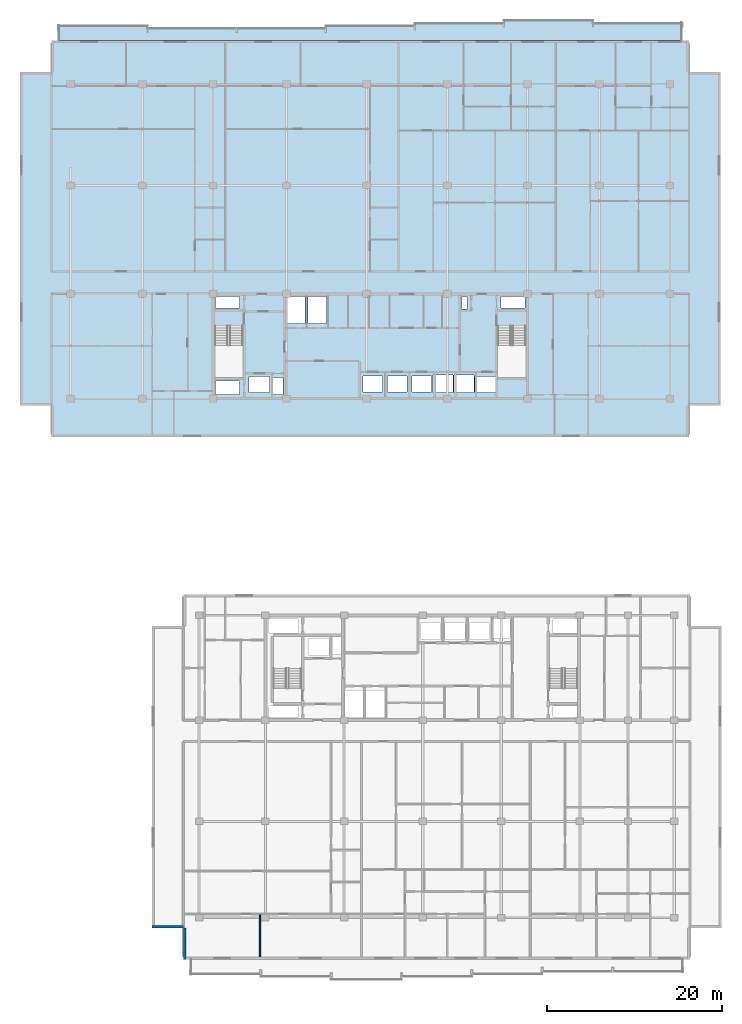
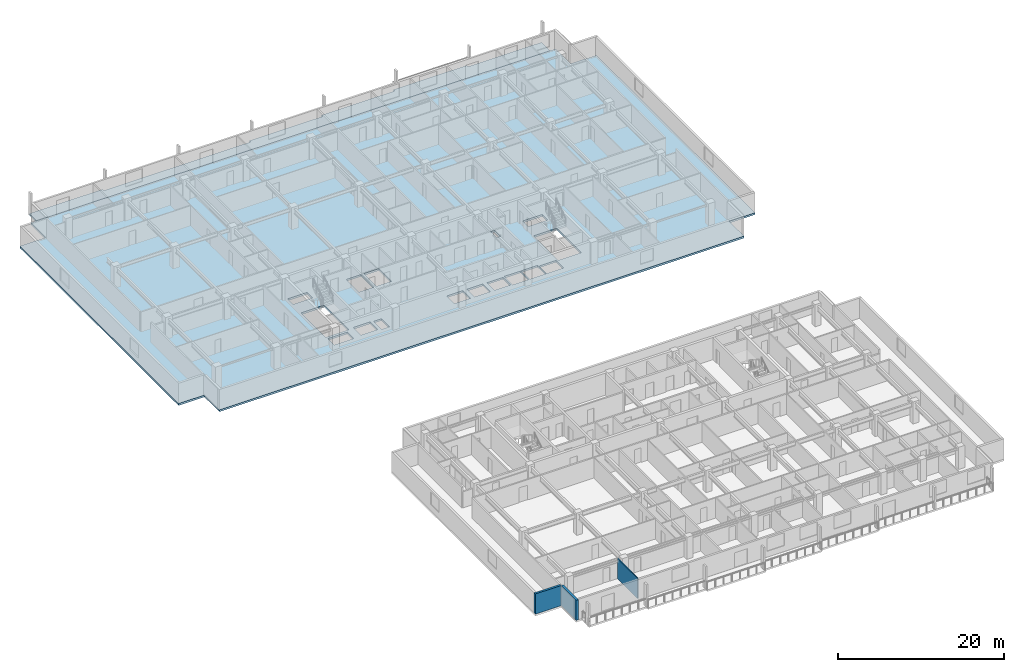
# One storey, part 3 of 21: 3 walls, 2 slabs.
"""IFC4 building model written with IfcOpenShell, lengths in metres."""

from ifc_helpers import new_model, si_unit, direction, frame, frame_2d, origin, place, context, subcontext, project, spatial, polyline, rectangle, outline, extrude, material, layer, layer_set, type_object, element, save


model = new_model("IFC4")

# Units and contexts
model_context = context("Model", 3, precision=1e-05, world=origin(), true_north=direction((0.0, 1.0)))
body_context = subcontext(model_context, "Body", "Model", "MODEL_VIEW")
ifc_project = project(units=[si_unit("LENGTHUNIT", "METRE"), si_unit("AREAUNIT", "SQUARE_METRE"), si_unit("VOLUMEUNIT", "CUBIC_METRE"), si_unit("PLANEANGLEUNIT", "RADIAN"), si_unit("MASSUNIT", "GRAM", prefix="KILO")], contexts=[model_context])

# Site, building, storey
site_placement = place(None, origin())
site = spatial("IfcSite", under=ifc_project, at=site_placement, CompositionType="ELEMENT")
building_placement = place(site_placement, origin())
building = spatial("IfcBuilding", under=site, at=building_placement, Name="Korimba Cascade Residences", CompositionType="ELEMENT")
storey_placement = place(building_placement, frame((0.0, 0.0, 119.800048828125)))
storey = spatial("IfcBuildingStorey", under=building, at=storey_placement, Name="L34", CompositionType="ELEMENT", Elevation=119.800048828125)

# Slabs
ifc_material_1 = material(Name="Precast concrete C40/50", Category="concrete")
ifc_layer_1 = layer(ifc_material_1, 0.239990234375)
ifc_layer_set_1 = layer_set([ifc_layer_1], Name="Precast concrete C40/50")
slab_type_1 = type_object("IfcSlabType", Name="SLB-LOG-240", PredefinedType="FLOOR", material=ifc_layer_set_1)
slab_1_placement = place(storey_placement, frame((0.0, 0.0, -0.239990234375)))
element("IfcSlab", 1, at=slab_1_placement, inside=storey, type_object=slab_type_1, Name="L34 Tower 1 North Loggia Slab", PredefinedType="FLOOR", context=body_context, shape_type="SweptSolid", body=[
    extrude(outline(polyline([(58.39990234375, 96.199951171875), (129.800048828125, 96.199951171875), (129.800048828125, 98.25), (119.60009765625, 98.25), (119.60009765625, 98.550048828125), (109.39990234375, 98.550048828125), (109.39990234375, 98.25), (99.199951171875, 98.25), (99.199951171875, 97.949951171875), (89.0, 97.949951171875), (89.0, 97.64990234375), (68.60009765625, 97.64990234375), (68.60009765625, 97.949951171875), (58.39990234375, 97.949951171875), (58.39990234375, 96.199951171875)])), origin(), (0.0, 0.0, 1.0), 0.239990234375),
])
ifc_material_2 = material(Name="Concrete C50/60", Category="concrete")
ifc_layer_2 = layer(ifc_material_2, 0.280029296875)
ifc_layer_set_2 = layer_set([ifc_layer_2], Name="Concrete C50/60")
slab_type_2 = type_object("IfcSlabType", Name="SLB-TYP-280", PredefinedType="FLOOR", material=ifc_layer_set_2)
slab_2_placement = place(storey_placement, frame((0.0, 0.0, -0.280029296875)))
element("IfcSlab", 2, at=slab_2_placement, inside=storey, type_object=slab_type_2, Name="L34 Tower 1 Floor Slab", PredefinedType="FLOOR", context=body_context, shape_type="SweptSolid", body=[
    extrude(outline(polyline([(57.60009765625, 50.800048828125), (130.60009765625, 50.800048828125), (130.60009765625, 54.39990234375), (134.199951171875, 54.39990234375), (134.199951171875, 92.60009765625), (130.60009765625, 92.60009765625), (130.60009765625, 96.199951171875), (57.60009765625, 96.199951171875), (57.60009765625, 92.60009765625), (54.0, 92.60009765625), (54.0, 54.39990234375), (57.60009765625, 54.39990234375), (57.60009765625, 50.800048828125)]), holes=[polyline([(76.300048828125, 63.514892578125), (76.300048828125, 57.60009765625), (79.5400390625, 57.60009765625), (79.5400390625, 63.514892578125), (76.300048828125, 63.514892578125)]), polyline([(108.659912109375, 63.514892578125), (108.659912109375, 57.60009765625), (111.89990234375, 57.60009765625), (111.89990234375, 63.514892578125), (108.659912109375, 63.514892578125)]), polyline([(80.22998046875, 55.8798828125), (82.570068359375, 55.8798828125), (82.570068359375, 57.719970703125), (80.22998046875, 57.719970703125), (80.22998046875, 55.8798828125)]), polyline([(106.080078125, 55.8798828125), (108.419921875, 55.8798828125), (108.419921875, 57.719970703125), (106.080078125, 57.719970703125), (106.080078125, 55.8798828125)]), polyline([(93.280029296875, 55.97998046875), (95.52001953125, 55.97998046875), (95.52001953125, 57.820068359375), (93.280029296875, 57.820068359375), (93.280029296875, 55.97998046875)]), polyline([(96.080078125, 55.97998046875), (98.320068359375, 55.97998046875), (98.320068359375, 57.820068359375), (96.080078125, 57.820068359375), (96.080078125, 55.97998046875)]), polyline([(98.8798828125, 55.97998046875), (101.1201171875, 55.97998046875), (101.1201171875, 57.820068359375), (98.8798828125, 57.820068359375), (98.8798828125, 55.97998046875)]), polyline([(101.304931640625, 55.8798828125), (103.594970703125, 55.8798828125), (103.594970703125, 57.919921875), (101.304931640625, 57.919921875), (101.304931640625, 55.8798828125)]), polyline([(103.705078125, 55.8798828125), (105.9951171875, 55.8798828125), (105.9951171875, 57.919921875), (103.705078125, 57.919921875), (103.705078125, 55.8798828125)]), polyline([(82.97998046875, 55.679931640625), (84.080078125, 55.679931640625), (84.080078125, 57.6201171875), (82.97998046875, 57.6201171875), (82.97998046875, 55.679931640625)]), polyline([(76.39990234375, 65.56005859375), (79.10009765625, 65.56005859375), (79.10009765625, 66.8798828125), (76.39990234375, 66.8798828125), (76.39990234375, 65.56005859375)]), polyline([(76.39990234375, 55.679931640625), (79.10009765625, 55.679931640625), (79.10009765625, 57.239990234375), (76.39990234375, 57.239990234375), (76.39990234375, 55.679931640625)]), polyline([(84.530029296875, 63.820068359375), (86.6201171875, 63.820068359375), (86.6201171875, 66.8798828125), (84.530029296875, 66.8798828125), (84.530029296875, 63.820068359375)]), polyline([(86.97998046875, 63.820068359375), (89.070068359375, 63.820068359375), (89.070068359375, 66.8798828125), (86.97998046875, 66.8798828125), (86.97998046875, 63.820068359375)]), polyline([(104.6201171875, 65.4599609375), (105.179931640625, 65.4599609375), (105.179931640625, 66.8798828125), (104.6201171875, 66.8798828125), (104.6201171875, 65.4599609375)]), polyline([(109.080078125, 65.56005859375), (111.800048828125, 65.56005859375), (111.800048828125, 66.8798828125), (109.080078125, 66.8798828125), (109.080078125, 65.56005859375)])]), origin(), (0.0, 0.0, 1.0), 0.280029296875),
])

# Walls
ifc_layer_3 = layer(ifc_material_1, 0.300048828125)
ifc_layer_set_3 = layer_set([ifc_layer_3], Name="Precast concrete C40/50")
wall_type_1 = type_object("IfcWallType", Name="EW-STONE-300", PredefinedType="STANDARD", material=ifc_layer_set_3)
wall_1_placement = place(storey_placement, frame((69.10009765625, -5.25, 0.0), z_axis=(0.0, 0.0, 1.0), x_axis=(1.0, 0.0, 0.0)))
element("IfcWall", 3, at=wall_1_placement, inside=storey, type_object=wall_type_1, Name="L34 T2 Perimeter Stone Wall E10", PredefinedType="STANDARD", context=body_context, shape_type="SweptSolid", body=[
    extrude(rectangle(XDim=3.599853515625, YDim=0.300048828125, at=frame_2d((1.7998046875, 0.0))), origin(), (0.0, 0.0, 1.0), 2.969970703125),
])
wall_2_placement = place(storey_placement, frame((72.85009765625, -5.39990234375, 0.0), z_axis=(0.0, 0.0, 1.0), x_axis=(0.0, -1.0, 0.0)))
element("IfcWall", 4, at=wall_2_placement, inside=storey, type_object=wall_type_1, Name="L34 T2 Perimeter Stone Wall E11", PredefinedType="STANDARD", context=body_context, shape_type="SweptSolid", body=[
    extrude(rectangle(XDim=3.60009765625, YDim=0.300048828125, at=frame_2d((1.800048828125, 0.0))), origin(), (0.0, 0.0, 1.0), 2.969970703125),
])
ifc_material_3 = material(Name="Insulated Acoustic Stud Partition", Category="gypsum")
ifc_layer_4 = layer(ifc_material_3, 0.14990234375)
ifc_layer_set_4 = layer_set([ifc_layer_4], Name="Insulated Acoustic Stud Partition")
wall_type_2 = type_object("IfcWallType", Name="WAL-PART-150", PredefinedType="PARTITIONING", material=ifc_layer_set_4)
wall_3_placement = place(storey_placement, frame((81.475341796875, -8.699951171875, 0.0), z_axis=(0.0, 0.0, 1.0), x_axis=(0.0, 1.0, 0.0)))
element("IfcWall", 5, at=wall_3_placement, inside=storey, type_object=wall_type_2, Name="L34 Partition Wall WAL-L34-T2-U01-OUTV", PredefinedType="PARTITIONING", context=body_context, shape_type="SweptSolid", body=[
    extrude(rectangle(XDim=4.820068359375, YDim=0.14990234375, at=frame_2d((2.41015625, 0.0))), origin(), (0.0, 0.0, 1.0), 2.969970703125),
])

save(model, "model.ifc")
